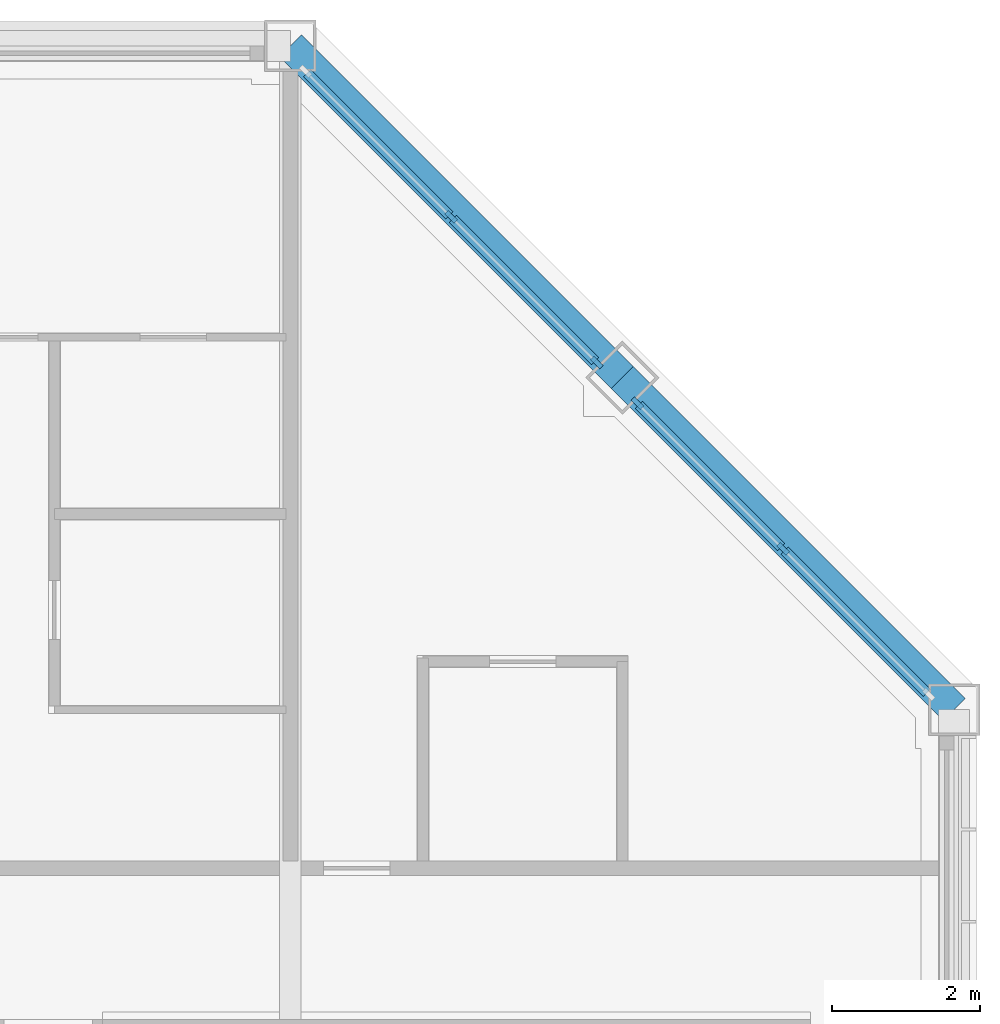
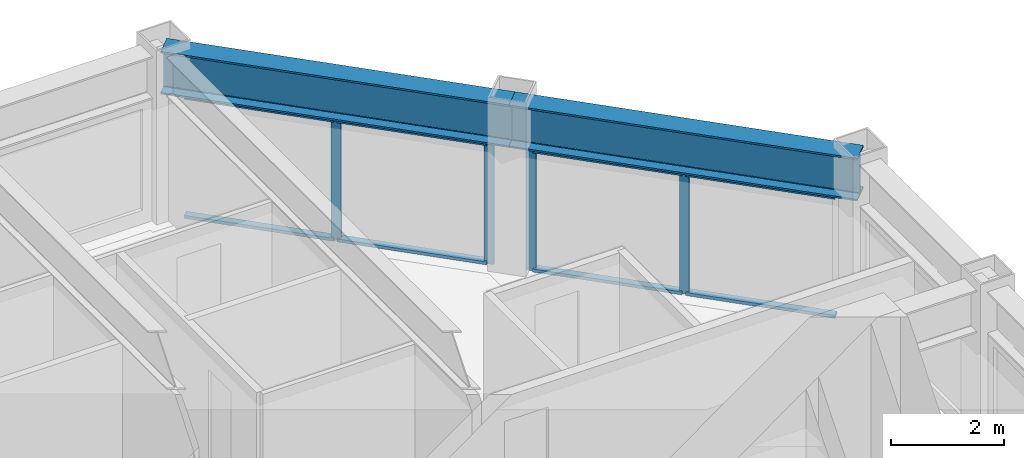
# One storey, part 7 of 18: 12 members, 2 beams, 2 elements without a shape of their own.
"""IFC4 building model written with IfcOpenShell, lengths in metres."""

from ifc_helpers import new_model, si_unit, direction, frame, origin, origin_2d, place, context, subcontext, project, spatial, rectangle, i_section, extrude, material, material_profile, profile_set, type_object, element, aggregate, save


model = new_model("IFC4")

# Units and contexts
model_context = context("Model", 3, precision=1e-05, world=origin(), true_north=direction((0.0, 1.0)))
body_context = subcontext(model_context, "Body", "Model", "MODEL_VIEW")
ifc_project = project(units=[si_unit("LENGTHUNIT", "METRE"), si_unit("AREAUNIT", "SQUARE_METRE"), si_unit("VOLUMEUNIT", "CUBIC_METRE"), si_unit("PLANEANGLEUNIT", "RADIAN"), si_unit("MASSUNIT", "GRAM", prefix="KILO")], contexts=[model_context])

# Site, building, storey
site_placement = place(None, origin())
site = spatial("IfcSite", under=ifc_project, at=site_placement, CompositionType="ELEMENT")
building_placement = place(site_placement, origin())
building = spatial("IfcBuilding", under=site, at=building_placement, Name="Msasa Ring Tower", CompositionType="ELEMENT")
storey_placement = place(building_placement, frame((0.0, 0.0, 245.800048828125)))
storey = spatial("IfcBuildingStorey", under=building, at=storey_placement, Name="L64", CompositionType="ELEMENT", Elevation=245.800048828125)

# Curtain wall, members
ifc_material_1 = material(Name="Aluminium curtain wall with clear glass", Category="aluminium")
curtain_wall_type = type_object("IfcCurtainWallType", Name="CW-C CHAMFER CORNER CURTAIN WALL", PredefinedType="NOTDEFINED", material=ifc_material_1)
curtain_wall_1_placement = place(storey_placement, origin())
curtain_wall_1 = element("IfcCurtainWall", 1, at=curtain_wall_1_placement, inside=storey, type_object=curtain_wall_type, Name="Chamfer corner curtain wall NE L64", PredefinedType="NOTDEFINED")
ifc_material_2 = material(Name="Aluminium mullion", Category="aluminium")
ifc_material_profile_1 = material_profile(ifc_material_2, rectangle(XDim=0.06494140625, YDim=0.179931640625, at=origin_2d()), Name="AL 65x180")
ifc_profile_set_1 = profile_set([ifc_material_profile_1], Name="Aluminium mullion")
member_type_1 = type_object("IfcMemberType", Name="CW-C MULLION 65x180", PredefinedType="MULLION", material=ifc_profile_set_1)
member_1_placement = place(storey_placement, frame((15.4052734375, 15.953369140625, 0.0), z_axis=(0.0, 0.0, 1.0), x_axis=(-0.707106781187, -0.707106781187, 0.0)))
member_1 = element("IfcMember", 2, at=member_1_placement, type_object=member_type_1, Name="CW-C mullion 1", PredefinedType="MULLION", context=body_context, shape_type="SweptSolid", body=[
    extrude(rectangle(XDim=0.06494140625, YDim=0.179931640625, at=origin_2d()), origin(), (0.0, 0.0, 1.0), 2.62890625),
])
member_2_placement = place(storey_placement, frame((13.42919921875, 17.92919921875, 0.0), z_axis=(0.0, 0.0, 1.0), x_axis=(-0.707106781187, -0.707106781187, 0.0)))
member_2 = element("IfcMember", 3, at=member_2_placement, type_object=member_type_1, Name="CW-C mullion 2", PredefinedType="MULLION", context=body_context, shape_type="SweptSolid", body=[
    extrude(rectangle(XDim=0.06494140625, YDim=0.179931640625, at=origin_2d()), origin(), (0.0, 0.0, 1.0), 2.62890625),
])

curtain_wall_2_placement = place(storey_placement, origin())
curtain_wall_2 = element("IfcCurtainWall", 4, at=curtain_wall_2_placement, inside=storey, type_object=curtain_wall_type, Name="Chamfer corner curtain wall NE L64", PredefinedType="NOTDEFINED")
member_3_placement = place(storey_placement, frame((17.92919921875, 13.42919921875, 0.0), z_axis=(0.0, 0.0, 1.0), x_axis=(-0.707106781187, -0.707106781187, 0.0)))
member_3 = element("IfcMember", 5, at=member_3_placement, type_object=member_type_1, Name="CW-C mullion 2", PredefinedType="MULLION", context=body_context, shape_type="SweptSolid", body=[
    extrude(rectangle(XDim=0.06494140625, YDim=0.179931640625, at=origin_2d()), origin(), (0.0, 0.0, 1.0), 2.62890625),
])
member_4_placement = place(storey_placement, frame((15.953369140625, 15.4052734375, 0.0), z_axis=(0.0, 0.0, 1.0), x_axis=(-0.707106781187, -0.707106781187, 0.0)))
member_4 = element("IfcMember", 6, at=member_4_placement, type_object=member_type_1, Name="CW-C mullion 3", PredefinedType="MULLION", context=body_context, shape_type="SweptSolid", body=[
    extrude(rectangle(XDim=0.06494140625, YDim=0.179931640625, at=origin_2d()), origin(), (0.0, 0.0, 1.0), 2.62890625),
])

# Member
ifc_material_3 = material(Name="Aluminium transom", Category="aluminium")
ifc_material_profile_2 = material_profile(ifc_material_3, rectangle(XDim=0.139892578125, YDim=0.06494140625, at=origin_2d()), Name="AL 65x140")
ifc_profile_set_2 = profile_set([ifc_material_profile_2], Name="Aluminium transom")
member_type_2 = type_object("IfcMemberType", Name="CW-C TRANSOM 65x140", PredefinedType="USERDEFINED", material=ifc_profile_set_2)
member_5_placement = place(storey_placement, frame((15.38232421875, 15.976318359375, 0.032470703125), z_axis=(-0.707106781187, 0.707106781187, 0.0), x_axis=(-0.707106781187, -0.707106781187, 0.0)))
member_5 = element("IfcMember", 7, at=member_5_placement, type_object=member_type_2, Name="CW-C transom 1.1", ObjectType="TRANSOM", PredefinedType="USERDEFINED", context=body_context, shape_type="SweptSolid", body=[
    extrude(rectangle(XDim=0.139892578125, YDim=0.06494140625, at=origin_2d()), origin(), (0.0, 0.0, 1.0), 2.729248046875),
])

member_6_placement = place(storey_placement, frame((15.38232421875, 15.976318359375, 2.596435546875), z_axis=(-0.707106781187, 0.707106781187, 0.0), x_axis=(-0.707106781187, -0.707106781187, 0.0)))
member_6 = element("IfcMember", 8, at=member_6_placement, type_object=member_type_2, Name="CW-C transom 1.2", ObjectType="TRANSOM", PredefinedType="USERDEFINED", context=body_context, shape_type="SweptSolid", body=[
    extrude(rectangle(XDim=0.139892578125, YDim=0.06494140625, at=origin_2d()), origin(), (0.0, 0.0, 1.0), 2.729248046875),
])

member_7_placement = place(storey_placement, frame((13.40625, 17.952392578125, 0.032470703125), z_axis=(-0.707106781187, 0.707106781187, 0.0), x_axis=(-0.707106781187, -0.707106781187, 0.0)))
member_7 = element("IfcMember", 9, at=member_7_placement, type_object=member_type_2, Name="CW-C transom 2.1", ObjectType="TRANSOM", PredefinedType="USERDEFINED", context=body_context, shape_type="SweptSolid", body=[
    extrude(rectangle(XDim=0.139892578125, YDim=0.06494140625, at=origin_2d()), origin(), (0.0, 0.0, 1.0), 2.729248046875),
])

member_8_placement = place(storey_placement, frame((13.40625, 17.952392578125, 2.596435546875), z_axis=(-0.707106781187, 0.707106781187, 0.0), x_axis=(-0.707106781187, -0.707106781187, 0.0)))
member_8 = element("IfcMember", 10, at=member_8_placement, type_object=member_type_2, Name="CW-C transom 2.2", ObjectType="TRANSOM", PredefinedType="USERDEFINED", context=body_context, shape_type="SweptSolid", body=[
    extrude(rectangle(XDim=0.139892578125, YDim=0.06494140625, at=origin_2d()), origin(), (0.0, 0.0, 1.0), 2.729248046875),
])

aggregate(curtain_wall_1, [member_1, member_2, member_5, member_6, member_7, member_8])

member_9_placement = place(storey_placement, frame((19.88232421875, 11.476318359375, 0.032470703125), z_axis=(-0.707106781187, 0.707106781187, 0.0), x_axis=(-0.707106781187, -0.707106781187, 0.0)))
member_9 = element("IfcMember", 11, at=member_9_placement, type_object=member_type_2, Name="CW-C transom 1.1", ObjectType="TRANSOM", PredefinedType="USERDEFINED", context=body_context, shape_type="SweptSolid", body=[
    extrude(rectangle(XDim=0.139892578125, YDim=0.06494140625, at=origin_2d()), origin(), (0.0, 0.0, 1.0), 2.729248046875),
])

member_10_placement = place(storey_placement, frame((19.88232421875, 11.476318359375, 2.596435546875), z_axis=(-0.707106781187, 0.707106781187, 0.0), x_axis=(-0.707106781187, -0.707106781187, 0.0)))
member_10 = element("IfcMember", 12, at=member_10_placement, type_object=member_type_2, Name="CW-C transom 1.2", ObjectType="TRANSOM", PredefinedType="USERDEFINED", context=body_context, shape_type="SweptSolid", body=[
    extrude(rectangle(XDim=0.139892578125, YDim=0.06494140625, at=origin_2d()), origin(), (0.0, 0.0, 1.0), 2.729248046875),
])

member_11_placement = place(storey_placement, frame((17.90625, 13.452392578125, 0.032470703125), z_axis=(-0.707106781187, 0.707106781187, 0.0), x_axis=(-0.707106781187, -0.707106781187, 0.0)))
member_11 = element("IfcMember", 13, at=member_11_placement, type_object=member_type_2, Name="CW-C transom 2.1", ObjectType="TRANSOM", PredefinedType="USERDEFINED", context=body_context, shape_type="SweptSolid", body=[
    extrude(rectangle(XDim=0.139892578125, YDim=0.06494140625, at=origin_2d()), origin(), (0.0, 0.0, 1.0), 2.729248046875),
])

member_12_placement = place(storey_placement, frame((17.90625, 13.452392578125, 2.596435546875), z_axis=(-0.707106781187, 0.707106781187, 0.0), x_axis=(-0.707106781187, -0.707106781187, 0.0)))
member_12 = element("IfcMember", 14, at=member_12_placement, type_object=member_type_2, Name="CW-C transom 2.2", ObjectType="TRANSOM", PredefinedType="USERDEFINED", context=body_context, shape_type="SweptSolid", body=[
    extrude(rectangle(XDim=0.139892578125, YDim=0.06494140625, at=origin_2d()), origin(), (0.0, 0.0, 1.0), 2.729248046875),
])

aggregate(curtain_wall_2, [member_3, member_4, member_9, member_10, member_11, member_12])

# Beams
ifc_material_4 = material(Name="Steel S355", Category="steel")
ifc_material_profile_3 = material_profile(ifc_material_4, i_section(OverallWidth=0.42041015625, OverallDepth=0.9208984375, WebThickness=0.021484375, FlangeThickness=0.03662109375, FilletRadius=0.024169921875, at=origin_2d()), Name="UB 914x419x388")
ifc_profile_set_3 = profile_set([ifc_material_profile_3], Name="Steel S355")
beam_type = type_object("IfcBeamType", Name="SB1 UB 914x419x388", PredefinedType="SPANDREL", material=ifc_profile_set_3)
for number, where, z_axis, x_axis, name in (
    (15, (20.25, 11.25, 3.08935546875), (-0.707106781187, 0.707106781187, 0.0), (-0.707106781187, -0.707106781187, 0.0), "Spandrel E+11.25 to NE under L65"),
    (16, (15.75, 15.75, 3.08935546875), (-0.707106781187, 0.707106781187, 0.0), (-0.707106781187, -0.707106781187, 0.0), "Spandrel NE to N+11.25 under L65"),
):
    element("IfcBeam", number, at=place(storey_placement, frame(where, z_axis=z_axis, x_axis=x_axis)), inside=storey, type_object=beam_type, Name=name, PredefinedType="SPANDREL", context=body_context, shape_type="SweptSolid", body=[
        extrude(i_section(OverallWidth=0.42041015625, OverallDepth=0.9208984375, WebThickness=0.021484375, FlangeThickness=0.03662109375, FilletRadius=0.024169921875, at=origin_2d()), origin(), (0.0, 0.0, 1.0), 6.364013671875),
    ])

save(model, "model.ifc")
